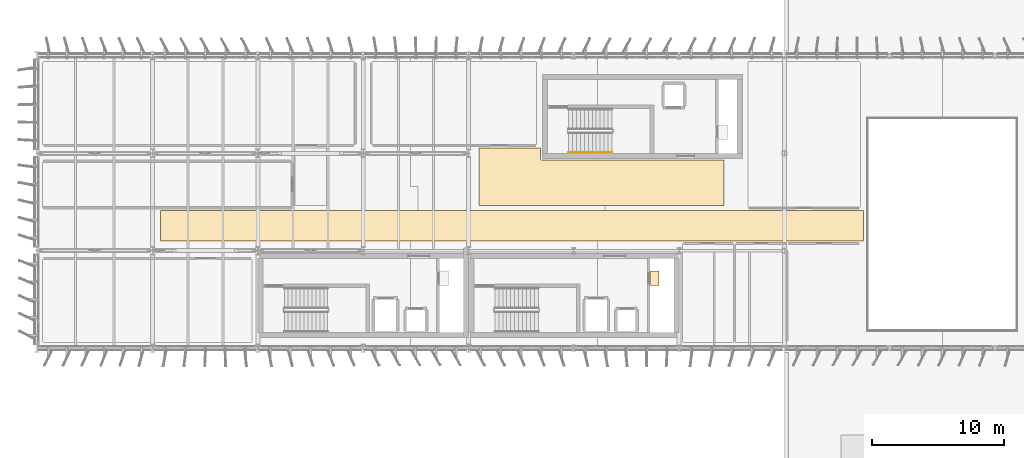
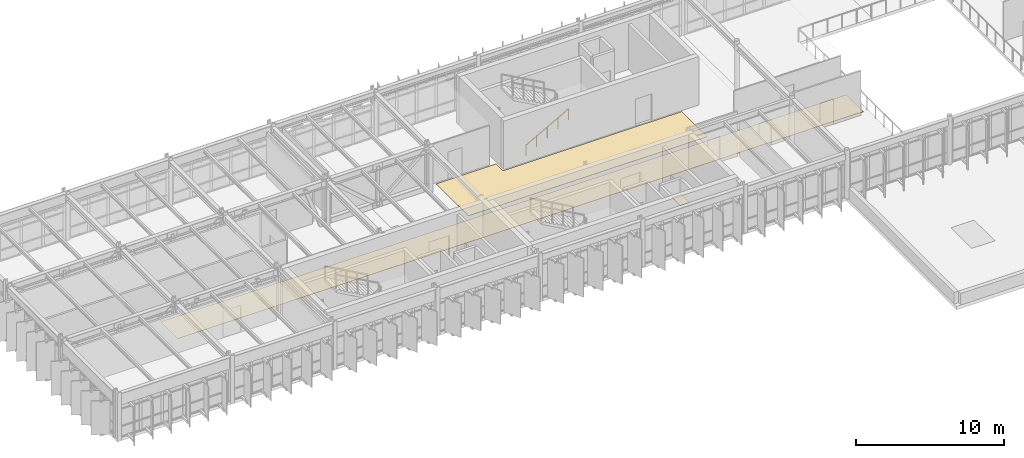
# One storey, part 48 of 56: 3 coverings, 1 railing.
"""IFC4 building model written with IfcOpenShell, lengths in metres."""

import ifcopenshell
import ifcopenshell.guid

model = None  # the IFC model being written
_history = None  # IfcOwnerHistory: only IFC2X3 demands one
_inside = {}  # id of a spatial element -> (the spatial element, [elements in it])
_under = {}  # id of a project, library or spatial element -> (it, [spatial elements below it])
_declared = {}  # id of a project -> (the project, [libraries it declares])
_typed = {}  # id of a type object -> (the type object, [elements of that type])
_made_of = {}  # id of a material, layer set ... -> (it, [elements and type objects made of it])


def new_model(schema):
    """Start an empty IFC model of exactly this schema.

    Asked for "IFC4X3", IfcOpenShell would pick the latest addendum, in which some entities
    have other attributes; the version numbers below select the first issue.
    IFC2X3 requires an IfcOwnerHistory on every rooted entity: one is made here for all.
    """
    global model, _history
    if schema == "IFC4X3":
        model = ifcopenshell.file(schema_version=(4, 3, 0, 0))
    else:
        model = ifcopenshell.file(schema=schema)
    _inside.clear()
    _under.clear()
    _declared.clear()
    _typed.clear()
    _made_of.clear()
    _history = None
    if model.schema == "IFC2X3":
        org = make("IfcOrganization", Name="unknown")
        user = make(
            "IfcPersonAndOrganization",
            ThePerson=make("IfcPerson", FamilyName="unknown"),
            TheOrganization=org,
        )
        app = make(
            "IfcApplication",
            ApplicationDeveloper=org,
            Version="unknown",
            ApplicationFullName="unknown",
            ApplicationIdentifier="unknown",
        )
        _history = make(
            "IfcOwnerHistory",
            OwningUser=user,
            OwningApplication=app,
            ChangeAction="ADDED",
            CreationDate=0,
        )
    return model


def make(cls, **values):
    """One entity of the class cls with the attributes given. An attribute that is None is left unset."""
    return model.create_entity(
        cls, **{name: value for name, value in values.items() if value is not None}
    )


def rooted(cls, **values):
    """An entity with a GlobalId (a new one), such as an element, a storey or a relation."""
    return make(cls, GlobalId=ifcopenshell.guid.new(), OwnerHistory=_history, **values)


def si_unit(unit_type, name, prefix=None):
    """IfcSIUnit, for example si_unit("LENGTHUNIT", "METRE", prefix="MILLI")."""
    return make("IfcSIUnit", UnitType=unit_type, Prefix=prefix, Name=name)


def assignment(units):
    """IfcUnitAssignment: the units of a project."""
    return None if units is None else make("IfcUnitAssignment", Units=units)


def point(xyz):
    """IfcCartesianPoint."""
    return None if xyz is None else make("IfcCartesianPoint", Coordinates=xyz)


def direction(xyz):
    """IfcDirection."""
    return None if xyz is None else make("IfcDirection", DirectionRatios=xyz)


def frame(location, z_axis=None, x_axis=None):
    """IfcAxis2Placement3D, a coordinate frame: its origin and axes. An axis left out is left unset."""
    return make(
        "IfcAxis2Placement3D",
        Location=point(location),
        Axis=direction(z_axis),
        RefDirection=direction(x_axis),
    )


def frame_2d(location, x_axis=None):
    """IfcAxis2Placement2D, a coordinate frame in the plane: its origin and x axis."""
    return make(
        "IfcAxis2Placement2D", Location=point(location), RefDirection=direction(x_axis)
    )


def origin():
    """The frame at (0, 0, 0) with its axes left unset."""
    return frame((0.0, 0.0, 0.0))


def origin_2d():
    """The frame at (0, 0) in the plane with its x axis left unset."""
    return frame_2d((0.0, 0.0))


def place(relative_to, where):
    """IfcLocalPlacement: puts the frame where relative to a parent placement (None: the world)."""
    return make(
        "IfcLocalPlacement", PlacementRelTo=relative_to, RelativePlacement=where
    )


def context(
    kind, dimensions, precision=None, world=None, true_north=None, identifier=None
):
    """IfcGeometricRepresentationContext, for example the 3D "Model" context."""
    return make(
        "IfcGeometricRepresentationContext",
        ContextIdentifier=identifier,
        ContextType=kind,
        CoordinateSpaceDimension=dimensions,
        Precision=precision,
        WorldCoordinateSystem=world,
        TrueNorth=true_north,
    )


def subcontext(parent, identifier, kind, view, scale=None):
    """IfcGeometricRepresentationSubContext, for example "Body" below "Model"."""
    return make(
        "IfcGeometricRepresentationSubContext",
        ContextIdentifier=identifier,
        ContextType=kind,
        ParentContext=parent,
        TargetScale=scale,
        TargetView=view,
    )


def project(units=None, contexts=None):
    """IfcProject with its units and contexts."""
    return rooted(
        "IfcProject",
        Name="project",
        RepresentationContexts=contexts,
        UnitsInContext=assignment(units),
    )


def spatial(cls, under=None, at=None, **own):
    """A site, building, storey or space (cls), placed at a placement, below another one or the project."""
    s = rooted(cls, ObjectPlacement=at, **own)
    if under is not None:
        _under.setdefault(under.id(), (under, []))[1].append(s)
    return s


def polyline(points):
    """IfcPolyline through the points."""
    return make("IfcPolyline", Points=[point(p) for p in points])


def profile(cls, at=None, kind="AREA", **sizes):
    """A parametric profile (cls). Its sizes go by their IFC names, for example OverallWidth=200.0."""
    return make(cls, ProfileType=kind, Position=at, **sizes)


def circle(**sizes):
    """IfcCircleProfileDef."""
    return profile("IfcCircleProfileDef", **sizes)


def outline(outer, holes=None, kind="AREA"):
    """IfcArbitraryClosedProfileDef: a profile drawn as a closed curve; with holes, ...WithVoids."""
    if holes is None:
        return make("IfcArbitraryClosedProfileDef", ProfileType=kind, OuterCurve=outer)
    return make(
        "IfcArbitraryProfileDefWithVoids",
        ProfileType=kind,
        OuterCurve=outer,
        InnerCurves=holes,
    )


def extrude(swept, where, along, depth):
    """IfcExtrudedAreaSolid: the profile swept, set in the frame where, extruded along a direction by depth."""
    return make(
        "IfcExtrudedAreaSolid",
        SweptArea=swept,
        Position=where,
        ExtrudedDirection=direction(along),
        Depth=depth,
    )


def shape(context_of_items, identifier, shape_type, items):
    """IfcShapeRepresentation: the items that make up one representation, for example the "Body"."""
    return make(
        "IfcShapeRepresentation",
        ContextOfItems=context_of_items,
        RepresentationIdentifier=identifier,
        RepresentationType=shape_type,
        Items=items,
    )


def material(Name=None, Category=None):
    """IfcMaterial."""
    return make("IfcMaterial", Name=Name, Category=Category)


def layer(
    of_material, thickness, ventilated=None, Name=None, Category=None, Priority=None
):
    """IfcMaterialLayer: one layer of a wall or slab, of a material (None: an air gap)."""
    return make(
        "IfcMaterialLayer",
        Material=of_material,
        LayerThickness=thickness,
        IsVentilated=ventilated,
        Name=Name,
        Category=Category,
        Priority=Priority,
    )


def layer_set(layers, Name=None):
    """IfcMaterialLayerSet."""
    return make("IfcMaterialLayerSet", MaterialLayers=layers, LayerSetName=Name)


def made_of(thing, what):
    """Note that an element or type object is made of a material, layer set ...; save() writes the relation."""
    if what is not None:
        _made_of.setdefault(what.id(), (what, []))[1].append(thing)
    return thing


def type_object(cls, material=None, **own):
    """A type object (cls), such as IfcWallType, which elements share."""
    return made_of(rooted(cls, **own), material)


def element(
    cls,
    number,
    at=None,
    inside=None,
    cuts=None,
    type_object=None,
    material=None,
    context=None,
    identifier="Body",
    shape_type=None,
    held_by="IfcProductDefinitionShape",
    body=None,
    shapes=None,
    **own,
):
    """One element of the class cls, such as IfcWall. Its Tag is "e" and its number.

    at: its placement. inside: the storey or other place that contains it. cuts: it is an
    opening in that element (IfcRelVoidsElement). A single representation is given by context,
    identifier, shape_type and body (its items); several are given by shapes. held_by: the class
    of the entity that holds the representations. save() writes the other relations.
    """
    e = rooted(cls, Tag="e%d" % number, ObjectPlacement=at, **own)
    if body is not None:
        shapes = [shape(context, identifier, shape_type, body)]
    if shapes is not None:
        e.Representation = make(held_by, Representations=shapes)
    if inside is not None:
        _inside.setdefault(inside.id(), (inside, []))[1].append(e)
    if cuts is not None:
        rooted(
            "IfcRelVoidsElement", RelatingBuildingElement=cuts, RelatedOpeningElement=e
        )
    if type_object is not None:
        _typed.setdefault(type_object.id(), (type_object, []))[1].append(e)
    return made_of(e, material)


def aggregate(whole, parts):
    """IfcRelAggregates: a whole, such as a stair, and the parts it consists of."""
    return rooted("IfcRelAggregates", RelatingObject=whole, RelatedObjects=parts)


def save(model, path):
    """Write the relations noted so far, then the file.

    IfcRelAggregates (storeys below a building ...), IfcRelContainedInSpatialStructure (elements
    in a storey), IfcRelDefinesByType, IfcRelAssociatesMaterial and IfcRelDeclares: one each for
    every whole, place, type object, material and project.
    """
    for whole, parts in _under.values():
        aggregate(whole, parts)
    for where, things in _inside.values():
        rooted(
            "IfcRelContainedInSpatialStructure",
            RelatedElements=things,
            RelatingStructure=where,
        )
    for kind, things in _typed.values():
        rooted("IfcRelDefinesByType", RelatedObjects=things, RelatingType=kind)
    for what, things in _made_of.values():
        rooted("IfcRelAssociatesMaterial", RelatedObjects=things, RelatingMaterial=what)
    for by, libraries in _declared.values():
        rooted("IfcRelDeclares", RelatingContext=by, RelatedDefinitions=libraries)
    model.write(path)


model = new_model("IFC4")

# Units and contexts
model_context = context("Model", 3, precision=1e-05, world=origin(), true_north=direction((0.0, 1.0)))
body_context = subcontext(model_context, "Body", "Model", "MODEL_VIEW")
ifc_project = project(units=[si_unit("LENGTHUNIT", "METRE"), si_unit("AREAUNIT", "SQUARE_METRE"), si_unit("VOLUMEUNIT", "CUBIC_METRE"), si_unit("PLANEANGLEUNIT", "RADIAN"), si_unit("MASSUNIT", "GRAM", prefix="KILO")], contexts=[model_context])

# Site, building, storey
site_placement = place(None, origin())
site = spatial("IfcSite", under=ifc_project, at=site_placement, CompositionType="ELEMENT")
building_placement = place(site_placement, origin())
building = spatial("IfcBuilding", under=site, at=building_placement, Name="Valkorina Park Police Headquarters", CompositionType="ELEMENT")
storey_placement = place(building_placement, frame((0.0, 0.0, 14.10009765625)))
storey = spatial("IfcBuildingStorey", under=building, at=storey_placement, Name="L04", CompositionType="ELEMENT", Elevation=14.10009765625)

# Coverings
ifc_material_1 = material(Name="Resin terrazzo flooring")
ifc_layer = layer(ifc_material_1, 0.030029296875)
ifc_layer_set = layer_set([ifc_layer], Name="Resin terrazzo flooring")
covering_type = type_object("IfcCoveringType", Name="COV-FLOOR-TERRAZZO", PredefinedType="FLOORING", material=ifc_layer_set)
covering_1_placement = place(storey_placement, origin())
element("IfcCovering", 1, at=covering_1_placement, inside=storey, type_object=covering_type, Name="Core C2 L04 Riser Inspection Threshold Grate", PredefinedType="FLOORING", context=body_context, shape_type="SweptSolid", body=[
    extrude(outline(polyline([(47.280029296875, 41.75), (47.280029296875, 42.85009765625), (46.580078125, 42.85009765625), (46.580078125, 41.75), (47.280029296875, 41.75)])), origin(), (0.0, 0.0, 1.0), 0.02978515625),
])
covering_2_placement = place(storey_placement, origin())
element("IfcCovering", 2, at=covering_2_placement, inside=storey, type_object=covering_type, Name="L04 Cantilever Operations Wing Corridor Terrazzo Flooring", PredefinedType="FLOORING", context=body_context, shape_type="SweptSolid", body=[
    extrude(outline(polyline([(62.800048828125, 47.449951171875), (9.39990234375, 47.449951171875), (9.39990234375, 45.14990234375), (62.800048828125, 45.14990234375), (62.800048828125, 47.449951171875)])), origin(), (0.0, 0.0, 1.0), 0.02978515625),
])
covering_3_placement = place(storey_placement, origin())
element("IfcCovering", 3, at=covering_3_placement, inside=storey, type_object=covering_type, Name="L04 Core C3 Access Corridor Terrazzo Flooring", PredefinedType="FLOORING", context=body_context, shape_type="SweptSolid", body=[
    extrude(outline(polyline([(38.280029296875, 52.199951171875), (33.60009765625, 52.199951171875), (33.60009765625, 47.85009765625), (52.199951171875, 47.85009765625), (52.199951171875, 51.280029296875), (38.39990234375, 51.280029296875), (38.39599609375, 51.280029296875), (38.39208984375, 51.2802734375), (38.38427734375, 51.281005859375), (38.380615234375, 51.281494140625), (38.372802734375, 51.283203125), (38.368896484375, 51.2841796875), (38.361328125, 51.286376953125), (38.357666015625, 51.28759765625), (38.3505859375, 51.290771484375), (38.346923828125, 51.29248046875), (38.340087890625, 51.296142578125), (38.336669921875, 51.298095703125), (38.330078125, 51.302490234375), (38.326904296875, 51.3046875), (38.32080078125, 51.309814453125), (38.318115234375, 51.3125), (38.3125, 51.318115234375), (38.309814453125, 51.32080078125), (38.3046875, 51.326904296875), (38.302490234375, 51.330078125), (38.298095703125, 51.336669921875), (38.296142578125, 51.340087890625), (38.29248046875, 51.346923828125), (38.290771484375, 51.3505859375), (38.28759765625, 51.357666015625), (38.286376953125, 51.361328125), (38.2841796875, 51.368896484375), (38.283203125, 51.372802734375), (38.281494140625, 51.380615234375), (38.281005859375, 51.38427734375), (38.2802734375, 51.39208984375), (38.280029296875, 51.39599609375), (38.280029296875, 51.39990234375), (38.280029296875, 52.199951171875)])), origin(), (0.0, 0.0, 1.0), 0.02978515625),
])

# Railing
ifc_material_2 = material(Name="Stainless steel EN 1.4404", Category="steel")
railing_type = type_object("IfcRailingType", Name="RL-HANDRAIL-900", PredefinedType="HANDRAIL", material=ifc_material_2)
railing_placement = place(storey_placement, frame((40.39990234375, 51.85009765625, 0.16650390625)))
element("IfcRailing", 4, at=railing_placement, inside=storey, type_object=railing_type, Name="L04 Core C3 Stair Handrail 1", PredefinedType="HANDRAIL", context=body_context, shape_type="SweptSolid", body=[
    extrude(circle(Radius=0.02392578125, at=origin_2d()), frame((0.0, 0.0, 0.8759765625), z_axis=(0.874142023373, 0.0, 0.48567038511), x_axis=(0.0, 1.0, 0.0)), (0.0, 0.0, 1.0), 3.775146484375),
    extrude(circle(Radius=0.02099609375, at=origin_2d()), origin(), (0.0, 0.0, 1.0), 0.851806640625),
    extrude(circle(Radius=0.02099609375, at=origin_2d()), frame((0.824951171875, 0.0, 0.45849609375)), (0.0, 0.0, 1.0), 0.851806640625),
    extrude(circle(Radius=0.02099609375, at=origin_2d()), frame((1.64990234375, 0.0, 0.916748046875)), (0.0, 0.0, 1.0), 0.851806640625),
    extrude(circle(Radius=0.02099609375, at=origin_2d()), frame((2.47509765625, 0.0, 1.375)), (0.0, 0.0, 1.0), 0.851806640625),
    extrude(circle(Radius=0.02099609375, at=origin_2d()), frame((3.300048828125, 0.0, 1.83349609375)), (0.0, 0.0, 1.0), 0.851806640625),
])

save(model, "model.ifc")
